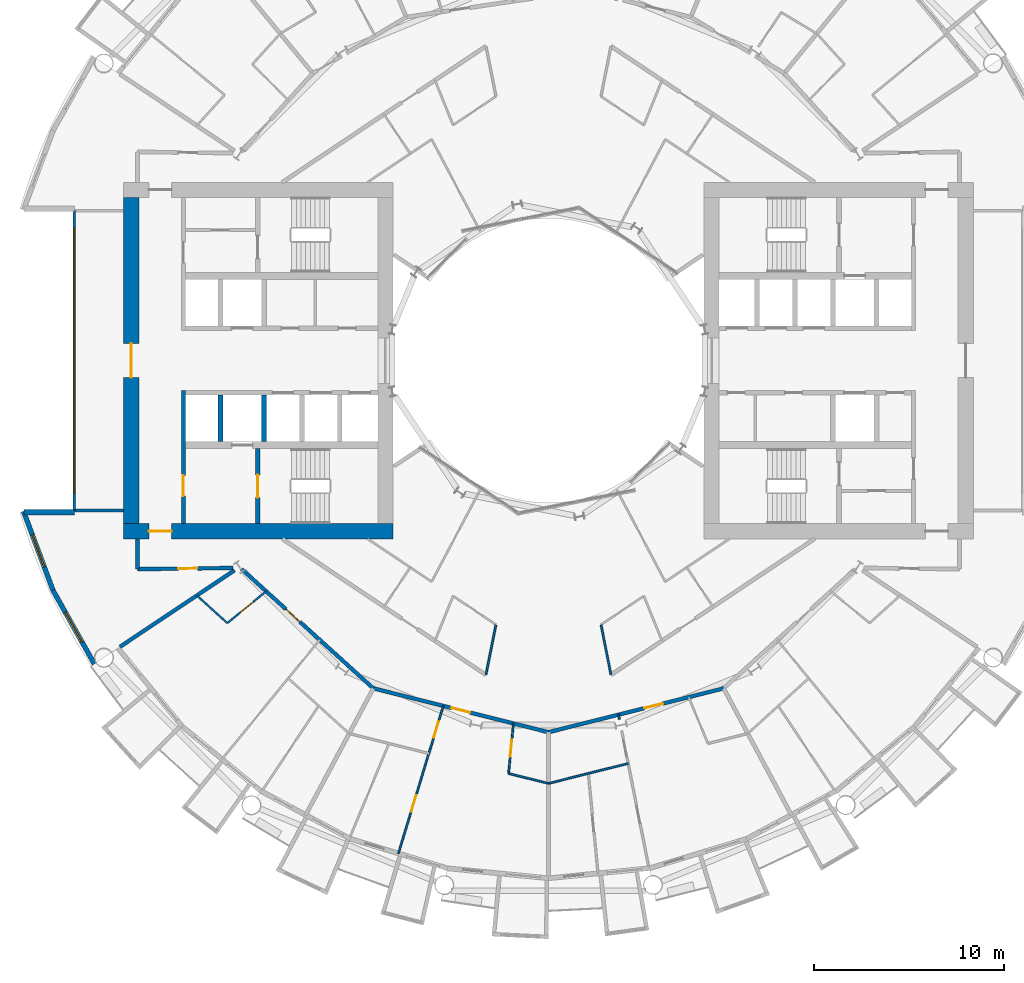
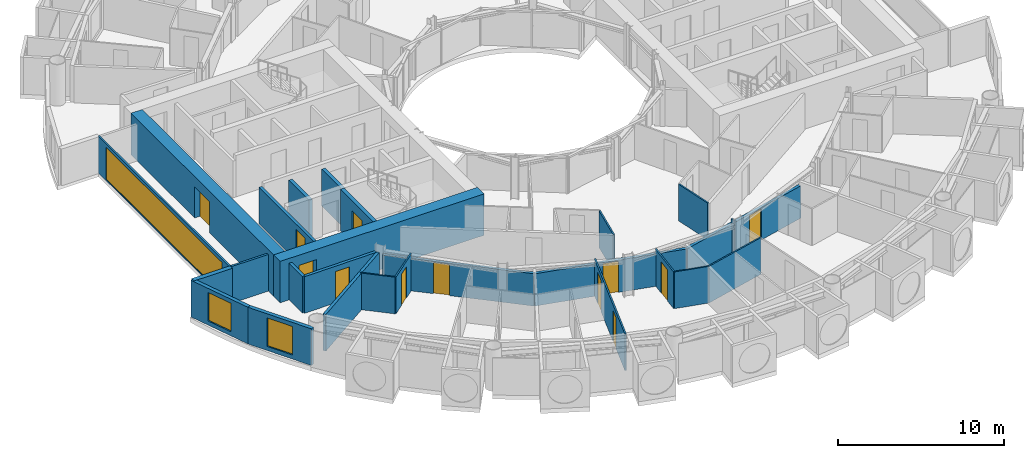
# One storey, part 14 of 26: 26 walls, 12 doors, 3 windows, 15 openings.
"""IFC4 building model written with IfcOpenShell, lengths in metres."""

import ifcopenshell
import ifcopenshell.guid

model = None  # the IFC model being written
_history = None  # IfcOwnerHistory: only IFC2X3 demands one
_inside = {}  # id of a spatial element -> (the spatial element, [elements in it])
_under = {}  # id of a project, library or spatial element -> (it, [spatial elements below it])
_declared = {}  # id of a project -> (the project, [libraries it declares])
_typed = {}  # id of a type object -> (the type object, [elements of that type])
_made_of = {}  # id of a material, layer set ... -> (it, [elements and type objects made of it])


def new_model(schema):
    """Start an empty IFC model of exactly this schema.

    Asked for "IFC4X3", IfcOpenShell would pick the latest addendum, in which some entities
    have other attributes; the version numbers below select the first issue.
    IFC2X3 requires an IfcOwnerHistory on every rooted entity: one is made here for all.
    """
    global model, _history
    if schema == "IFC4X3":
        model = ifcopenshell.file(schema_version=(4, 3, 0, 0))
    else:
        model = ifcopenshell.file(schema=schema)
    _inside.clear()
    _under.clear()
    _declared.clear()
    _typed.clear()
    _made_of.clear()
    _history = None
    if model.schema == "IFC2X3":
        org = make("IfcOrganization", Name="unknown")
        user = make(
            "IfcPersonAndOrganization",
            ThePerson=make("IfcPerson", FamilyName="unknown"),
            TheOrganization=org,
        )
        app = make(
            "IfcApplication",
            ApplicationDeveloper=org,
            Version="unknown",
            ApplicationFullName="unknown",
            ApplicationIdentifier="unknown",
        )
        _history = make(
            "IfcOwnerHistory",
            OwningUser=user,
            OwningApplication=app,
            ChangeAction="ADDED",
            CreationDate=0,
        )
    return model


def make(cls, **values):
    """One entity of the class cls with the attributes given. An attribute that is None is left unset."""
    return model.create_entity(
        cls, **{name: value for name, value in values.items() if value is not None}
    )


def rooted(cls, **values):
    """An entity with a GlobalId (a new one), such as an element, a storey or a relation."""
    return make(cls, GlobalId=ifcopenshell.guid.new(), OwnerHistory=_history, **values)


def si_unit(unit_type, name, prefix=None):
    """IfcSIUnit, for example si_unit("LENGTHUNIT", "METRE", prefix="MILLI")."""
    return make("IfcSIUnit", UnitType=unit_type, Prefix=prefix, Name=name)


def assignment(units):
    """IfcUnitAssignment: the units of a project."""
    return None if units is None else make("IfcUnitAssignment", Units=units)


def point(xyz):
    """IfcCartesianPoint."""
    return None if xyz is None else make("IfcCartesianPoint", Coordinates=xyz)


def direction(xyz):
    """IfcDirection."""
    return None if xyz is None else make("IfcDirection", DirectionRatios=xyz)


def frame(location, z_axis=None, x_axis=None):
    """IfcAxis2Placement3D, a coordinate frame: its origin and axes. An axis left out is left unset."""
    return make(
        "IfcAxis2Placement3D",
        Location=point(location),
        Axis=direction(z_axis),
        RefDirection=direction(x_axis),
    )


def frame_2d(location, x_axis=None):
    """IfcAxis2Placement2D, a coordinate frame in the plane: its origin and x axis."""
    return make(
        "IfcAxis2Placement2D", Location=point(location), RefDirection=direction(x_axis)
    )


def origin():
    """The frame at (0, 0, 0) with its axes left unset."""
    return frame((0.0, 0.0, 0.0))


def place(relative_to, where):
    """IfcLocalPlacement: puts the frame where relative to a parent placement (None: the world)."""
    return make(
        "IfcLocalPlacement", PlacementRelTo=relative_to, RelativePlacement=where
    )


def context(
    kind, dimensions, precision=None, world=None, true_north=None, identifier=None
):
    """IfcGeometricRepresentationContext, for example the 3D "Model" context."""
    return make(
        "IfcGeometricRepresentationContext",
        ContextIdentifier=identifier,
        ContextType=kind,
        CoordinateSpaceDimension=dimensions,
        Precision=precision,
        WorldCoordinateSystem=world,
        TrueNorth=true_north,
    )


def subcontext(parent, identifier, kind, view, scale=None):
    """IfcGeometricRepresentationSubContext, for example "Body" below "Model"."""
    return make(
        "IfcGeometricRepresentationSubContext",
        ContextIdentifier=identifier,
        ContextType=kind,
        ParentContext=parent,
        TargetScale=scale,
        TargetView=view,
    )


def project(units=None, contexts=None):
    """IfcProject with its units and contexts."""
    return rooted(
        "IfcProject",
        Name="project",
        RepresentationContexts=contexts,
        UnitsInContext=assignment(units),
    )


def spatial(cls, under=None, at=None, **own):
    """A site, building, storey or space (cls), placed at a placement, below another one or the project."""
    s = rooted(cls, ObjectPlacement=at, **own)
    if under is not None:
        _under.setdefault(under.id(), (under, []))[1].append(s)
    return s


def profile(cls, at=None, kind="AREA", **sizes):
    """A parametric profile (cls). Its sizes go by their IFC names, for example OverallWidth=200.0."""
    return make(cls, ProfileType=kind, Position=at, **sizes)


def rectangle(**sizes):
    """IfcRectangleProfileDef."""
    return profile("IfcRectangleProfileDef", **sizes)


def extrude(swept, where, along, depth):
    """IfcExtrudedAreaSolid: the profile swept, set in the frame where, extruded along a direction by depth."""
    return make(
        "IfcExtrudedAreaSolid",
        SweptArea=swept,
        Position=where,
        ExtrudedDirection=direction(along),
        Depth=depth,
    )


def shape(context_of_items, identifier, shape_type, items):
    """IfcShapeRepresentation: the items that make up one representation, for example the "Body"."""
    return make(
        "IfcShapeRepresentation",
        ContextOfItems=context_of_items,
        RepresentationIdentifier=identifier,
        RepresentationType=shape_type,
        Items=items,
    )


def material(Name=None, Category=None):
    """IfcMaterial."""
    return make("IfcMaterial", Name=Name, Category=Category)


def layer(
    of_material, thickness, ventilated=None, Name=None, Category=None, Priority=None
):
    """IfcMaterialLayer: one layer of a wall or slab, of a material (None: an air gap)."""
    return make(
        "IfcMaterialLayer",
        Material=of_material,
        LayerThickness=thickness,
        IsVentilated=ventilated,
        Name=Name,
        Category=Category,
        Priority=Priority,
    )


def layer_set(layers, Name=None):
    """IfcMaterialLayerSet."""
    return make("IfcMaterialLayerSet", MaterialLayers=layers, LayerSetName=Name)


def made_of(thing, what):
    """Note that an element or type object is made of a material, layer set ...; save() writes the relation."""
    if what is not None:
        _made_of.setdefault(what.id(), (what, []))[1].append(thing)
    return thing


def type_object(cls, material=None, **own):
    """A type object (cls), such as IfcWallType, which elements share."""
    return made_of(rooted(cls, **own), material)


def element(
    cls,
    number,
    at=None,
    inside=None,
    cuts=None,
    type_object=None,
    material=None,
    context=None,
    identifier="Body",
    shape_type=None,
    held_by="IfcProductDefinitionShape",
    body=None,
    shapes=None,
    **own,
):
    """One element of the class cls, such as IfcWall. Its Tag is "e" and its number.

    at: its placement. inside: the storey or other place that contains it. cuts: it is an
    opening in that element (IfcRelVoidsElement). A single representation is given by context,
    identifier, shape_type and body (its items); several are given by shapes. held_by: the class
    of the entity that holds the representations. save() writes the other relations.
    """
    e = rooted(cls, Tag="e%d" % number, ObjectPlacement=at, **own)
    if body is not None:
        shapes = [shape(context, identifier, shape_type, body)]
    if shapes is not None:
        e.Representation = make(held_by, Representations=shapes)
    if inside is not None:
        _inside.setdefault(inside.id(), (inside, []))[1].append(e)
    if cuts is not None:
        rooted(
            "IfcRelVoidsElement", RelatingBuildingElement=cuts, RelatedOpeningElement=e
        )
    if type_object is not None:
        _typed.setdefault(type_object.id(), (type_object, []))[1].append(e)
    return made_of(e, material)


def fill(opening, filler):
    """IfcRelFillsElement: the door or window that sits in an opening."""
    return rooted(
        "IfcRelFillsElement",
        RelatingOpeningElement=opening,
        RelatedBuildingElement=filler,
    )


def aggregate(whole, parts):
    """IfcRelAggregates: a whole, such as a stair, and the parts it consists of."""
    return rooted("IfcRelAggregates", RelatingObject=whole, RelatedObjects=parts)


def save(model, path):
    """Write the relations noted so far, then the file.

    IfcRelAggregates (storeys below a building ...), IfcRelContainedInSpatialStructure (elements
    in a storey), IfcRelDefinesByType, IfcRelAssociatesMaterial and IfcRelDeclares: one each for
    every whole, place, type object, material and project.
    """
    for whole, parts in _under.values():
        aggregate(whole, parts)
    for where, things in _inside.values():
        rooted(
            "IfcRelContainedInSpatialStructure",
            RelatedElements=things,
            RelatingStructure=where,
        )
    for kind, things in _typed.values():
        rooted("IfcRelDefinesByType", RelatedObjects=things, RelatingType=kind)
    for what, things in _made_of.values():
        rooted("IfcRelAssociatesMaterial", RelatedObjects=things, RelatingMaterial=what)
    for by, libraries in _declared.values():
        rooted("IfcRelDeclares", RelatingContext=by, RelatedDefinitions=libraries)
    model.write(path)


model = new_model("IFC4")

# Units and contexts
model_context = context("Model", 3, precision=1e-05, world=origin(), true_north=direction((0.0, 1.0)))
body_context = subcontext(model_context, "Body", "Model", "MODEL_VIEW")
ifc_project = project(units=[si_unit("LENGTHUNIT", "METRE"), si_unit("AREAUNIT", "SQUARE_METRE"), si_unit("VOLUMEUNIT", "CUBIC_METRE"), si_unit("PLANEANGLEUNIT", "RADIAN"), si_unit("MASSUNIT", "GRAM", prefix="KILO")], contexts=[model_context])

# Site, building, storey
site_placement = place(None, origin())
site = spatial("IfcSite", under=ifc_project, at=site_placement, CompositionType="ELEMENT")
building_placement = place(site_placement, origin())
building = spatial("IfcBuilding", under=site, at=building_placement, Name="Maasbend Ring Residences", CompositionType="ELEMENT")
storey_placement = place(building_placement, frame((0.0, 0.0, 31.949951171875)))
storey = spatial("IfcBuildingStorey", under=building, at=storey_placement, Name="L08", CompositionType="ELEMENT", Elevation=31.949951171875)

# Wall, opening, door
ifc_material_1 = material(Name="Concrete C70/85", Category="concrete")
ifc_layer_1 = layer(ifc_material_1, 0.25)
ifc_layer_set_1 = layer_set([ifc_layer_1], Name="Concrete C70/85")
wall_type_1 = type_object("IfcWallType", Name="CORE WALL 250 C70/85", PredefinedType="SHEAR", material=ifc_layer_set_1)
wall_1_placement = place(storey_placement, frame((-15.324951171875, -4.64990234375, 0.0), z_axis=(0.0, 0.0, 1.0), x_axis=(0.0, -1.0, 0.0)))
wall_1 = element("IfcWall", 1, at=wall_1_placement, inside=storey, type_object=wall_type_1, Name="L08 core W wall STEN", PredefinedType="SHEAR", context=body_context, shape_type="SweptSolid", body=[
    extrude(rectangle(XDim=3.9501953125, YDim=0.25, at=frame_2d((1.97509765625, 0.0))), origin(), (0.0, 0.0, 1.0), 3.050048828125),
])
opening_1_placement = place(wall_1_placement, frame((1.375, 0.0, 0.0)))
opening_1 = element("IfcOpeningElement", 2, at=opening_1_placement, cuts=wall_1, Name="Opening D-W0809", PredefinedType="OPENING", context=body_context, shape_type="SweptSolid", body=[
    extrude(rectangle(XDim=1.199951171875, YDim=2.300048828125, at=frame_2d((0.60009765625, 1.14990234375))), frame((0.0, 0.135009765625, 0.0), z_axis=(0.0, -1.0, 0.0), x_axis=(1.0, 0.0, 0.0)), (0.0, 0.0, 1.0), 0.27001953125),
])
ifc_material_2 = material(Name="Steel, powder coated", Category="steel")
door_type_1 = type_object("IfcDoorType", Name="STAIR DOOR 1200 X 2300 FD60", OperationType="NOTDEFINED", PredefinedType="DOOR", material=ifc_material_2)
door_1_placement = place(opening_1_placement, origin())
door_1 = element("IfcDoor", 3, at=door_1_placement, inside=storey, type_object=door_type_1, Name="Stair door ST-W L08", OperationType="SINGLE_SWING_LEFT", OverallHeight=2.300048828125, OverallWidth=1.199951171875, PredefinedType="DOOR", context=body_context, shape_type="SweptSolid", body=[
    extrude(rectangle(XDim=1.199951171875, YDim=2.300048828125, at=frame_2d((0.60009765625, 1.14990234375))), frame((0.0, 0.02490234375, 0.0), z_axis=(0.0, -1.0, 0.0), x_axis=(1.0, 0.0, 0.0)), (0.0, 0.0, 1.0), 0.050048828125),
])
fill(opening_1, door_1)

ifc_material_3 = material(Name="Concrete C70/85", Category="concrete")
ifc_layer_2 = layer(ifc_material_3, 0.800048828125)
ifc_layer_set_2 = layer_set([ifc_layer_2], Name="Concrete C70/85")
wall_type_2 = type_object("IfcWallType", Name="CORE WALL 800 C70/85", PredefinedType="SHEAR", material=ifc_layer_set_2)
wall_2_placement = place(storey_placement, frame((-22.39990234375, -9.0, 0.0), z_axis=(0.0, 0.0, 1.0), x_axis=(1.0, 0.0, 0.0)))
wall_2 = element("IfcWall", 4, at=wall_2_placement, inside=storey, type_object=wall_type_2, Name="L08 core W wall PN", PredefinedType="SHEAR", context=body_context, shape_type="SweptSolid", body=[
    extrude(rectangle(XDim=14.199951171875, YDim=0.800048828125, at=frame_2d((7.10009765625, 0.0))), origin(), (0.0, 0.0, 1.0), 3.050048828125),
])
opening_2_placement = place(wall_2_placement, frame((1.324951171875, 0.0, 0.0)))
opening_2 = element("IfcOpeningElement", 5, at=opening_2_placement, cuts=wall_2, Name="Opening D-W0813", PredefinedType="OPENING", context=body_context, shape_type="SweptSolid", body=[
    extrude(rectangle(XDim=1.199951171875, YDim=2.300048828125, at=frame_2d((0.60009765625, 1.14990234375))), frame((0.0, 0.41015625, 0.0), z_axis=(0.0, -1.0, 0.0), x_axis=(1.0, 0.0, 0.0)), (0.0, 0.0, 1.0), 0.820068359375),
])
ifc_material_4 = material(Name="Steel, powder coated", Category="steel")
door_type_2 = type_object("IfcDoorType", Name="CORRIDOR DOOR 1200 X 2300 FD30S", OperationType="NOTDEFINED", PredefinedType="DOOR", material=ifc_material_4)
door_2_placement = place(opening_2_placement, origin())
door_2 = element("IfcDoor", 6, at=door_2_placement, inside=storey, type_object=door_type_2, Name="Corridor door L08", OperationType="SINGLE_SWING_RIGHT", OverallHeight=2.300048828125, OverallWidth=1.199951171875, PredefinedType="DOOR", context=body_context, shape_type="SweptSolid", body=[
    extrude(rectangle(XDim=1.199951171875, YDim=2.300048828125, at=frame_2d((0.60009765625, 1.14990234375))), frame((0.0, 0.02490234375, 0.0), z_axis=(0.0, -1.0, 0.0), x_axis=(1.0, 0.0, 0.0)), (0.0, 0.0, 1.0), 0.050048828125),
])
fill(opening_2, door_2)

wall_3_placement = place(storey_placement, frame((-22.0, -8.60009765625, 0.0), z_axis=(0.0, 0.0, 1.0), x_axis=(0.0, 1.0, 0.0)))
wall_3 = element("IfcWall", 7, at=wall_3_placement, inside=storey, type_object=wall_type_2, Name="L08 core W wall POUT", PredefinedType="SHEAR", context=body_context, shape_type="SweptSolid", body=[
    extrude(rectangle(XDim=17.2001953125, YDim=0.800048828125, at=frame_2d((8.60009765625, 0.0))), origin(), (0.0, 0.0, 1.0), 3.050048828125),
])
opening_3_placement = place(wall_3_placement, frame((7.699951171875, 0.0, 0.0)))
opening_3 = element("IfcOpeningElement", 8, at=opening_3_placement, cuts=wall_3, Name="Opening D-W0815", PredefinedType="OPENING", context=body_context, shape_type="SweptSolid", body=[
    extrude(rectangle(XDim=1.800048828125, YDim=2.300048828125, at=frame_2d((0.89990234375, 1.14990234375))), frame((0.0, 0.41015625, 0.0), z_axis=(0.0, -1.0, 0.0), x_axis=(1.0, 0.0, 0.0)), (0.0, 0.0, 1.0), 0.820068359375),
])
ifc_material_5 = material(Name="Aluminium frame, clear glass", Category="aluminium")
door_type_3 = type_object("IfcDoorType", Name="ENTRANCE DOOR 1800 X 2300 FD60", OperationType="NOTDEFINED", PredefinedType="DOOR", material=ifc_material_5)
door_3_placement = place(opening_3_placement, origin())
door_3 = element("IfcDoor", 9, at=door_3_placement, inside=storey, type_object=door_type_3, Name="Lobby glazed door L08", OperationType="SINGLE_SWING_LEFT", OverallHeight=2.300048828125, OverallWidth=1.800048828125, PredefinedType="DOOR", context=body_context, shape_type="SweptSolid", body=[
    extrude(rectangle(XDim=1.800048828125, YDim=2.300048828125, at=frame_2d((0.89990234375, 1.14990234375))), frame((0.0, 0.02490234375, 0.0), z_axis=(0.0, -1.0, 0.0), x_axis=(1.0, 0.0, 0.0)), (0.0, 0.0, 1.0), 0.050048828125),
])
fill(opening_3, door_3)

ifc_material_6 = material(Name="Concrete C30/37", Category="concrete")
ifc_layer_3 = layer(ifc_material_6, 0.199951171875)
ifc_layer_set_3 = layer_set([ifc_layer_3], Name="Concrete C30/37")
wall_type_3 = type_object("IfcWallType", Name="CORRIDOR WALL 200 CONCRETE", PredefinedType="PARTITIONING", material=ifc_layer_set_3)
wall_4_placement = place(storey_placement, frame((-16.179931640625, -10.993896484375, 0.0), z_axis=(0.0, 0.0, 1.0), x_axis=(0.74089212117, -0.671624050186, 0.0)))
wall_4 = element("IfcWall", 10, at=wall_4_placement, inside=storey, type_object=wall_type_3, Name="U-L08-w011", PredefinedType="PARTITIONING", context=body_context, shape_type="SweptSolid", body=[
    extrude(rectangle(XDim=9.368408203125, YDim=0.199951171875, at=frame_2d((4.68408203125, 0.0))), origin(), (0.0, 0.0, 1.0), 2.380126953125),
])
opening_4_placement = place(wall_4_placement, frame((3.153076171875, 0.0, 0.0)))
opening_4 = element("IfcOpeningElement", 11, at=opening_4_placement, cuts=wall_4, Name="Opening D-0829", PredefinedType="OPENING", context=body_context, shape_type="SweptSolid", body=[
    extrude(rectangle(XDim=1.0, YDim=2.300048828125, at=frame_2d((0.5, 1.14990234375))), frame((0.0, 0.10986328125, 0.0), z_axis=(0.0, -1.0, 0.0), x_axis=(1.0, 0.0, 0.0)), (0.0, 0.0, 1.0), 0.219970703125),
])
ifc_material_7 = material(Name="Timber, fire-rated, painted", Category="wood")
door_type_4 = type_object("IfcDoorType", Name="FLAT ENTRANCE DOOR 1000 X 2300 FIRE-RATED", OperationType="NOTDEFINED", PredefinedType="DOOR", material=ifc_material_7)
door_4_placement = place(opening_4_placement, origin())
door_4 = element("IfcDoor", 12, at=door_4_placement, inside=storey, type_object=door_type_4, Name="D-0829", OperationType="SINGLE_SWING_LEFT", OverallHeight=2.300048828125, OverallWidth=1.0, PredefinedType="DOOR", context=body_context, shape_type="SweptSolid", body=[
    extrude(rectangle(XDim=1.0, YDim=2.300048828125, at=frame_2d((0.5, 1.14990234375))), frame((0.0, 0.02490234375, 0.0), z_axis=(0.0, -1.0, 0.0), x_axis=(1.0, 0.0, 0.0)), (0.0, 0.0, 1.0), 0.050048828125),
])
fill(opening_4, door_4)

wall_5_placement = place(storey_placement, frame((-9.241943359375, -17.283935546875, 0.0), z_axis=(0.0, 0.0, 1.0), x_axis=(0.970002158938, -0.243096301198, 0.0)))
wall_5 = element("IfcWall", 13, at=wall_5_placement, inside=storey, type_object=wall_type_3, Name="U-L08-w012", PredefinedType="PARTITIONING", context=body_context, shape_type="SweptSolid", body=[
    extrude(rectangle(XDim=9.52783203125, YDim=0.199951171875, at=frame_2d((4.763916015625, 0.0))), origin(), (0.0, 0.0, 1.0), 2.380126953125),
])
opening_5_placement = place(wall_5_placement, frame((4.261962890625, 0.0, 0.0)))
opening_5 = element("IfcOpeningElement", 14, at=opening_5_placement, cuts=wall_5, Name="Opening D-0834", PredefinedType="OPENING", context=body_context, shape_type="SweptSolid", body=[
    extrude(rectangle(XDim=1.0, YDim=2.300048828125, at=frame_2d((0.5, 1.14990234375))), frame((0.0, 0.10986328125, 0.0), z_axis=(0.0, -1.0, 0.0), x_axis=(1.0, 0.0, 0.0)), (0.0, 0.0, 1.0), 0.219970703125),
])
door_5_placement = place(opening_5_placement, origin())
door_5 = element("IfcDoor", 15, at=door_5_placement, inside=storey, type_object=door_type_4, Name="D-0834", OperationType="SINGLE_SWING_LEFT", OverallHeight=2.300048828125, OverallWidth=1.0, PredefinedType="DOOR", context=body_context, shape_type="SweptSolid", body=[
    extrude(rectangle(XDim=1.0, YDim=2.300048828125, at=frame_2d((0.5, 1.14990234375))), frame((0.0, 0.02490234375, 0.0), z_axis=(0.0, -1.0, 0.0), x_axis=(1.0, 0.0, 0.0)), (0.0, 0.0, 1.0), 0.050048828125),
])
fill(opening_5, door_5)

wall_6_placement = place(storey_placement, frame((-0.0009765625, -19.60107421875, 0.0), z_axis=(0.0, 0.0, 1.0), x_axis=(0.970014215304, 0.243048188859, 0.0)))
wall_6 = element("IfcWall", 16, at=wall_6_placement, inside=storey, type_object=wall_type_3, Name="U-L08-w013", PredefinedType="PARTITIONING", context=body_context, shape_type="SweptSolid", body=[
    extrude(rectangle(XDim=9.525634765625, YDim=0.199951171875, at=frame_2d((4.7626953125, 0.0))), origin(), (0.0, 0.0, 1.0), 2.380126953125),
])
opening_6_placement = place(wall_6_placement, frame((5.220947265625, 0.0, 0.0)))
opening_6 = element("IfcOpeningElement", 17, at=opening_6_placement, cuts=wall_6, Name="Opening D-0839", PredefinedType="OPENING", context=body_context, shape_type="SweptSolid", body=[
    extrude(rectangle(XDim=1.0, YDim=2.300048828125, at=frame_2d((0.5, 1.14990234375))), frame((0.0, 0.10986328125, 0.0), z_axis=(0.0, -1.0, 0.0), x_axis=(1.0, 0.0, 0.0)), (0.0, 0.0, 1.0), 0.219970703125),
])
door_6_placement = place(opening_6_placement, origin())
door_6 = element("IfcDoor", 18, at=door_6_placement, inside=storey, type_object=door_type_4, Name="D-0839", OperationType="SINGLE_SWING_RIGHT", OverallHeight=2.300048828125, OverallWidth=1.0, PredefinedType="DOOR", context=body_context, shape_type="SweptSolid", body=[
    extrude(rectangle(XDim=1.0, YDim=2.300048828125, at=frame_2d((0.5, 1.14990234375))), frame((0.0, 0.02490234375, 0.0), z_axis=(0.0, -1.0, 0.0), x_axis=(1.0, 0.0, 0.0)), (0.0, 0.0, 1.0), 0.050048828125),
])
fill(opening_6, door_6)

wall_7_placement = place(storey_placement, frame((-21.675048828125, -11.0, 0.0), z_axis=(0.0, 0.0, 1.0), x_axis=(0.999926652916, 0.012111514691, 0.0)))
wall_7 = element("IfcWall", 19, at=wall_7_placement, inside=storey, type_object=wall_type_3, Name="U-L08-w021", PredefinedType="PARTITIONING", context=body_context, shape_type="SweptSolid", body=[
    extrude(rectangle(XDim=5.03955078125, YDim=0.199951171875, at=frame_2d((2.519775390625, 0.0))), origin(), (0.0, 0.0, 1.0), 2.699951171875),
])
opening_7_placement = place(wall_7_placement, frame((2.154052734375, 0.0, 0.0)))
opening_7 = element("IfcOpeningElement", 20, at=opening_7_placement, cuts=wall_7, Name="Opening D-0857", PredefinedType="OPENING", context=body_context, shape_type="SweptSolid", body=[
    extrude(rectangle(XDim=1.0, YDim=2.300048828125, at=frame_2d((0.5, 1.14990234375))), frame((0.0, 0.10986328125, 0.0), z_axis=(0.0, -1.0, 0.0), x_axis=(1.0, 0.0, 0.0)), (0.0, 0.0, 1.0), 0.219970703125),
])
ifc_material_8 = material(Name="Timber, painted", Category="wood")
door_type_5 = type_object("IfcDoorType", Name="ROOM DOOR 1000 X 2300", OperationType="NOTDEFINED", PredefinedType="DOOR", material=ifc_material_8)
door_7_placement = place(opening_7_placement, origin())
door_7 = element("IfcDoor", 21, at=door_7_placement, inside=storey, type_object=door_type_5, Name="D-0857", OperationType="SINGLE_SWING_RIGHT", OverallHeight=2.300048828125, OverallWidth=1.0, PredefinedType="DOOR", context=body_context, shape_type="SweptSolid", body=[
    extrude(rectangle(XDim=1.0, YDim=2.300048828125, at=frame_2d((0.5, 1.14990234375))), frame((0.0, 0.02490234375, 0.0), z_axis=(0.0, -1.0, 0.0), x_axis=(1.0, 0.0, 0.0)), (0.0, 0.0, 1.0), 0.050048828125),
])
fill(opening_7, door_7)

# Wall
wall_8_placement = place(storey_placement, frame((-21.675048828125, -11.0, 0.0), z_axis=(0.0, 0.0, 1.0), x_axis=(0.0, 1.0, 0.0)))
element("IfcWall", 22, at=wall_8_placement, inside=storey, type_object=wall_type_3, Name="U-L08-w097", PredefinedType="PARTITIONING", context=body_context, shape_type="SweptSolid", body=[
    extrude(rectangle(XDim=1.60009765625, YDim=0.199951171875, at=frame_2d((0.800048828125, 0.0))), origin(), (0.0, 0.0, 1.0), 2.699951171875),
])

# Wall, opening, window
ifc_material_9 = material(Name="Aluminium clad insulated panel", Category="aluminium")
ifc_layer_4 = layer(ifc_material_9, 0.25)
ifc_layer_set_4 = layer_set([ifc_layer_4], Name="EW-HORN")
wall_type_4 = type_object("IfcWallType", Name="EW-HORN", PredefinedType="SOLIDWALL", material=ifc_layer_set_4)
wall_9_placement = place(storey_placement, frame((-27.681884765625, -7.945068359375, 0.0), z_axis=(0.0, 0.0, 1.0), x_axis=(0.349247811493, -0.937030397675, 0.0)))
wall_9 = element("IfcWall", 23, at=wall_9_placement, inside=storey, type_object=wall_type_4, Name="Horn wall 3.1", PredefinedType="SOLIDWALL", context=body_context, shape_type="SweptSolid", body=[
    extrude(rectangle(XDim=4.4521484375, YDim=0.25, at=frame_2d((2.22607421875, 0.0))), origin(), (0.0, 0.0, 1.0), 2.699951171875),
])
opening_8_placement = place(wall_9_placement, frame((1.32666015625, 0.0, 0.300048828125)))
opening_8 = element("IfcOpeningElement", 24, at=opening_8_placement, cuts=wall_9, Name="Opening W-BX", PredefinedType="OPENING", context=body_context, shape_type="SweptSolid", body=[
    extrude(rectangle(XDim=1.800048828125, YDim=2.10009765625, at=frame_2d((0.89990234375, 1.050048828125))), frame((0.0, 0.135009765625, 0.0), z_axis=(0.0, -1.0, 0.0), x_axis=(1.0, 0.0, 0.0)), (0.0, 0.0, 1.0), 0.27001953125),
])
ifc_material_10 = material(Name="Aluminium and clear glass", Category="aluminium")
window_type_1 = type_object("IfcWindowType", Name="W-BX", PartitioningType="DOUBLE_PANEL_VERTICAL", PredefinedType="WINDOW", material=ifc_material_10)
window_1_placement = place(opening_8_placement, origin())
window_1 = element("IfcWindow", 25, at=window_1_placement, inside=storey, type_object=window_type_1, Name="Horn window 3.1", OverallHeight=2.10009765625, OverallWidth=1.800048828125, PartitioningType="SINGLE_PANEL", PredefinedType="WINDOW", context=body_context, shape_type="SweptSolid", body=[
    extrude(rectangle(XDim=1.800048828125, YDim=2.10009765625, at=frame_2d((0.89990234375, 1.050048828125))), frame((0.0, 0.030029296875, 0.0), z_axis=(0.0, -1.0, 0.0), x_axis=(1.0, 0.0, 0.0)), (0.0, 0.0, 1.0), 0.06005859375),
])
fill(opening_8, window_1)

wall_10_placement = place(storey_placement, frame((-26.126953125, -12.116943359375, 0.0), z_axis=(0.0, 0.0, 1.0), x_axis=(0.489696356642, -0.871893042919, 0.0)))
wall_10 = element("IfcWall", 26, at=wall_10_placement, inside=storey, type_object=wall_type_4, Name="Horn wall 3.2", PredefinedType="SOLIDWALL", context=body_context, shape_type="SweptSolid", body=[
    extrude(rectangle(XDim=4.45361328125, YDim=0.25, at=frame_2d((2.226806640625, 0.0))), origin(), (0.0, 0.0, 1.0), 2.699951171875),
])
opening_9_placement = place(wall_10_placement, frame((1.32666015625, 0.0, 0.300048828125)))
opening_9 = element("IfcOpeningElement", 27, at=opening_9_placement, cuts=wall_10, Name="Opening W-BX", PredefinedType="OPENING", context=body_context, shape_type="SweptSolid", body=[
    extrude(rectangle(XDim=1.800048828125, YDim=2.10009765625, at=frame_2d((0.89990234375, 1.050048828125))), frame((0.0, 0.135009765625, 0.0), z_axis=(0.0, -1.0, 0.0), x_axis=(1.0, 0.0, 0.0)), (0.0, 0.0, 1.0), 0.27001953125),
])
window_2_placement = place(opening_9_placement, origin())
window_2 = element("IfcWindow", 28, at=window_2_placement, inside=storey, type_object=window_type_1, Name="Horn window 3.2", OverallHeight=2.10009765625, OverallWidth=1.800048828125, PartitioningType="SINGLE_PANEL", PredefinedType="WINDOW", context=body_context, shape_type="SweptSolid", body=[
    extrude(rectangle(XDim=1.800048828125, YDim=2.10009765625, at=frame_2d((0.89990234375, 1.050048828125))), frame((0.0, 0.030029296875, 0.0), z_axis=(0.0, -1.0, 0.0), x_axis=(1.0, 0.0, 0.0)), (0.0, 0.0, 1.0), 0.06005859375),
])
fill(opening_9, window_2)

# Wall
ifc_material_11 = material(Name="Aluminium clad insulated panel", Category="aluminium")
ifc_layer_5 = layer(ifc_material_11, 0.300048828125)
ifc_layer_set_5 = layer_set([ifc_layer_5], Name="EW-RET")
wall_type_5 = type_object("IfcWallType", Name="EW-RET", PredefinedType="SOLIDWALL", material=ifc_layer_set_5)
wall_11_placement = place(storey_placement, frame((-25.0, -8.0, 0.0), z_axis=(0.0, 0.0, 1.0), x_axis=(-1.0, 0.0, 0.0)))
element("IfcWall", 29, at=wall_11_placement, inside=storey, type_object=wall_type_5, Name="Notch return wall west south", PredefinedType="SOLIDWALL", context=body_context, shape_type="SweptSolid", body=[
    extrude(rectangle(XDim=2.6669921875, YDim=0.300048828125, at=frame_2d((1.33349609375, 0.0))), origin(), (0.0, 0.0, 1.0), 2.699951171875),
])

# Wall, opening, window
ifc_material_12 = material(Name="Aluminium frame and clear glass", Category="aluminium")
ifc_layer_6 = layer(ifc_material_12, 0.1201171875)
ifc_layer_set_6 = layer_set([ifc_layer_6], Name="GLAZED SCREEN WALL 120 EI 60")
wall_type_6 = type_object("IfcWallType", Name="GLAZED SCREEN WALL 120 EI 60", PredefinedType="PARTITIONING", material=ifc_layer_set_6)
wall_12_placement = place(storey_placement, frame((-25.0, 7.949951171875, 0.0), z_axis=(0.0, 0.0, 1.0), x_axis=(0.0, -1.0, 0.0)))
wall_12 = element("IfcWall", 30, at=wall_12_placement, inside=storey, type_object=wall_type_6, Name="L08 core W wall FACE", PredefinedType="PARTITIONING", context=body_context, shape_type="SweptSolid", body=[
    extrude(rectangle(XDim=15.89990234375, YDim=0.1201171875, at=frame_2d((7.949951171875, 0.0))), origin(), (0.0, 0.0, 1.0), 2.699951171875),
])
opening_10_placement = place(wall_12_placement, frame((0.949951171875, 0.0, 0.10009765625)))
opening_10 = element("IfcOpeningElement", 31, at=opening_10_placement, cuts=wall_12, Name="Opening W-W0802", PredefinedType="OPENING", context=body_context, shape_type="SweptSolid", body=[
    extrude(rectangle(XDim=14.0, YDim=2.35009765625, at=frame_2d((7.0, 1.175048828125))), frame((0.0, 0.070068359375, 0.0), z_axis=(0.0, -1.0, 0.0), x_axis=(1.0, 0.0, 0.0)), (0.0, 0.0, 1.0), 0.14013671875),
])
ifc_material_13 = material(Name="Aluminium frame and clear glass", Category="aluminium")
window_type_2 = type_object("IfcWindowType", Name="FIXED WINDOW 14000 X 2350", PartitioningType="SINGLE_PANEL", PredefinedType="WINDOW", material=ifc_material_13)
window_3_placement = place(opening_10_placement, origin())
window_3 = element("IfcWindow", 32, at=window_3_placement, inside=storey, type_object=window_type_2, Name="Lobby window L08", OverallHeight=2.35009765625, OverallWidth=14.0, PartitioningType="SINGLE_PANEL", PredefinedType="WINDOW", context=body_context, shape_type="SweptSolid", body=[
    extrude(rectangle(XDim=14.0, YDim=2.35009765625, at=frame_2d((7.0, 1.175048828125))), frame((0.0, 0.030029296875, 0.0), z_axis=(0.0, -1.0, 0.0), x_axis=(1.0, 0.0, 0.0)), (0.0, 0.0, 1.0), 0.06005859375),
])
fill(opening_10, window_3)

# Walls
ifc_material_14 = material(Name="Gypsum board on steel studs", Category="steel")
ifc_layer_7 = layer(ifc_material_14, 0.10009765625)
ifc_layer_set_7 = layer_set([ifc_layer_7], Name="PARTITION 100 GYPSUM")
wall_type_7 = type_object("IfcWallType", Name="PARTITION 100 GYPSUM", PredefinedType="PARTITIONING", material=ifc_layer_set_7)
wall_13_placement = place(storey_placement, frame((-18.5419921875, -12.388916015625, 0.0), z_axis=(0.0, 0.0, 1.0), x_axis=(0.740836325503, -0.671685595212, 0.0)))
element("IfcWall", 33, at=wall_13_placement, inside=storey, type_object=wall_type_7, Name="U-L08-w003", PredefinedType="PARTITIONING", context=body_context, shape_type="SweptSolid", body=[
    extrude(rectangle(XDim=2.167724609375, YDim=0.10009765625, at=frame_2d((1.083984375, 0.0))), origin(), (0.0, 0.0, 1.0), 2.699951171875),
])
wall_14_placement = place(storey_placement, frame((-2.095947265625, -21.77392578125, 0.0), z_axis=(0.0, 0.0, 1.0), x_axis=(0.969969957613, -0.24322475476, 0.0)))
element("IfcWall", 34, at=wall_14_placement, inside=storey, type_object=wall_type_7, Name="U-L08-w006", PredefinedType="PARTITIONING", context=body_context, shape_type="SweptSolid", body=[
    extrude(rectangle(XDim=2.167236328125, YDim=0.10009765625, at=frame_2d((1.08349609375, 0.0))), origin(), (0.0, 0.0, 1.0), 2.699951171875),
])
wall_15_placement = place(storey_placement, frame((-0.006103515625, -22.301025390625, 0.0), z_axis=(0.0, 0.0, 1.0), x_axis=(0.970106148391, 0.24268098577, 0.0)))
element("IfcWall", 35, at=wall_15_placement, inside=storey, type_object=wall_type_7, Name="U-L08-w007", PredefinedType="PARTITIONING", context=body_context, shape_type="SweptSolid", body=[
    extrude(rectangle(XDim=4.346923828125, YDim=0.10009765625, at=frame_2d((2.17333984375, 0.0))), origin(), (0.0, 0.0, 1.0), 2.699951171875),
])

# Wall, opening, door
wall_16_placement = place(storey_placement, frame((-16.93603515625, -13.844970703125, 0.0), z_axis=(0.0, 0.0, 1.0), x_axis=(0.774162545943, 0.632986850147, 0.0)))
wall_16 = element("IfcWall", 36, at=wall_16_placement, inside=storey, type_object=wall_type_7, Name="U-L08-w030", PredefinedType="PARTITIONING", context=body_context, shape_type="SweptSolid", body=[
    extrude(rectangle(XDim=2.6494140625, YDim=0.10009765625, at=frame_2d((1.32470703125, 0.0))), origin(), (0.0, 0.0, 1.0), 2.699951171875),
])
opening_11_placement = place(wall_16_placement, frame((0.875, 0.0, 0.0)))
opening_11 = element("IfcOpeningElement", 37, at=opening_11_placement, cuts=wall_16, Name="Opening D-0830", PredefinedType="OPENING", context=body_context, shape_type="SweptSolid", body=[
    extrude(rectangle(XDim=0.89990234375, YDim=2.300048828125, at=frame_2d((0.449951171875, 1.14990234375))), frame((0.0, 0.06005859375, 0.0), z_axis=(0.0, -1.0, 0.0), x_axis=(1.0, 0.0, 0.0)), (0.0, 0.0, 1.0), 0.1201171875),
])
ifc_material_15 = material(Name="Timber, painted", Category="wood")
door_type_6 = type_object("IfcDoorType", Name="INTERNAL DOOR 900 X 2300", OperationType="NOTDEFINED", PredefinedType="DOOR", material=ifc_material_15)
door_8_placement = place(opening_11_placement, origin())
door_8 = element("IfcDoor", 38, at=door_8_placement, inside=storey, type_object=door_type_6, Name="D-0830", OperationType="SINGLE_SWING_LEFT", OverallHeight=2.300048828125, OverallWidth=0.89990234375, PredefinedType="DOOR", context=body_context, shape_type="SweptSolid", body=[
    extrude(rectangle(XDim=0.89990234375, YDim=2.300048828125, at=frame_2d((0.449951171875, 1.14990234375))), frame((0.0, 0.02490234375, 0.0), z_axis=(0.0, -1.0, 0.0), x_axis=(1.0, 0.0, 0.0)), (0.0, 0.0, 1.0), 0.050048828125),
])
fill(opening_11, door_8)

# Wall, openings, doors
wall_17_placement = place(storey_placement, frame((-7.9140625, -25.9970703125, 0.0), z_axis=(0.0, 0.0, 1.0), x_axis=(0.291319167605, 0.956625915698, 0.0)))
wall_17 = element("IfcWall", 39, at=wall_17_placement, inside=storey, type_object=wall_type_7, Name="U-L08-w040", PredefinedType="PARTITIONING", context=body_context, shape_type="SweptSolid", body=[
    extrude(rectangle(XDim=8.13916015625, YDim=0.10009765625, at=frame_2d((4.069580078125, 0.0))), origin(), (0.0, 0.0, 1.0), 2.699951171875),
])
opening_12_placement = place(wall_17_placement, frame((6.376953125, 0.0, 0.0)))
opening_12 = element("IfcOpeningElement", 40, at=opening_12_placement, cuts=wall_17, Name="Opening D-0836", PredefinedType="OPENING", context=body_context, shape_type="SweptSolid", body=[
    extrude(rectangle(XDim=0.89990234375, YDim=2.300048828125, at=frame_2d((0.449951171875, 1.14990234375))), frame((0.0, 0.06005859375, 0.0), z_axis=(0.0, -1.0, 0.0), x_axis=(1.0, 0.0, 0.0)), (0.0, 0.0, 1.0), 0.1201171875),
])
opening_13_placement = place(wall_17_placement, frame((2.30810546875, 0.0, 0.0)))
opening_13 = element("IfcOpeningElement", 41, at=opening_13_placement, cuts=wall_17, Name="Opening D-0837", PredefinedType="OPENING", context=body_context, shape_type="SweptSolid", body=[
    extrude(rectangle(XDim=0.89990234375, YDim=2.300048828125, at=frame_2d((0.449951171875, 1.14990234375))), frame((0.0, 0.06005859375, 0.0), z_axis=(0.0, -1.0, 0.0), x_axis=(1.0, 0.0, 0.0)), (0.0, 0.0, 1.0), 0.1201171875),
])
door_9_placement = place(opening_12_placement, origin())
door_9 = element("IfcDoor", 42, at=door_9_placement, inside=storey, type_object=door_type_6, Name="D-0836", OperationType="SINGLE_SWING_RIGHT", OverallHeight=2.300048828125, OverallWidth=0.89990234375, PredefinedType="DOOR", context=body_context, shape_type="SweptSolid", body=[
    extrude(rectangle(XDim=0.89990234375, YDim=2.300048828125, at=frame_2d((0.449951171875, 1.14990234375))), frame((0.0, 0.02490234375, 0.0), z_axis=(0.0, -1.0, 0.0), x_axis=(1.0, 0.0, 0.0)), (0.0, 0.0, 1.0), 0.050048828125),
])
fill(opening_12, door_9)
door_10_placement = place(opening_13_placement, origin())
door_10 = element("IfcDoor", 43, at=door_10_placement, inside=storey, type_object=door_type_6, Name="D-0837", OperationType="SINGLE_SWING_LEFT", OverallHeight=2.300048828125, OverallWidth=0.89990234375, PredefinedType="DOOR", context=body_context, shape_type="SweptSolid", body=[
    extrude(rectangle(XDim=0.89990234375, YDim=2.300048828125, at=frame_2d((0.449951171875, 1.14990234375))), frame((0.0, 0.02490234375, 0.0), z_axis=(0.0, -1.0, 0.0), x_axis=(1.0, 0.0, 0.0)), (0.0, 0.0, 1.0), 0.050048828125),
])
fill(opening_13, door_10)

# Wall, opening, door
wall_18_placement = place(storey_placement, frame((-2.10205078125, -21.77294921875, 0.0), z_axis=(0.0, 0.0, 1.0), x_axis=(0.095970632278, 0.995384165908, 0.0)))
wall_18 = element("IfcWall", 44, at=wall_18_placement, inside=storey, type_object=wall_type_7, Name="U-L08-w047", PredefinedType="PARTITIONING", context=body_context, shape_type="SweptSolid", body=[
    extrude(rectangle(XDim=2.648193359375, YDim=0.10009765625, at=frame_2d((1.32421875, 0.0))), origin(), (0.0, 0.0, 1.0), 2.699951171875),
])
opening_14_placement = place(wall_18_placement, frame((0.8740234375, 0.0, 0.0)))
opening_14 = element("IfcOpeningElement", 45, at=opening_14_placement, cuts=wall_18, Name="Opening D-0835", PredefinedType="OPENING", context=body_context, shape_type="SweptSolid", body=[
    extrude(rectangle(XDim=0.89990234375, YDim=2.300048828125, at=frame_2d((0.449951171875, 1.14990234375))), frame((0.0, 0.06005859375, 0.0), z_axis=(0.0, -1.0, 0.0), x_axis=(1.0, 0.0, 0.0)), (0.0, 0.0, 1.0), 0.1201171875),
])
door_11_placement = place(opening_14_placement, origin())
door_11 = element("IfcDoor", 46, at=door_11_placement, inside=storey, type_object=door_type_6, Name="D-0835", OperationType="SINGLE_SWING_RIGHT", OverallHeight=2.300048828125, OverallWidth=0.89990234375, PredefinedType="DOOR", context=body_context, shape_type="SweptSolid", body=[
    extrude(rectangle(XDim=0.89990234375, YDim=2.300048828125, at=frame_2d((0.449951171875, 1.14990234375))), frame((0.0, 0.02490234375, 0.0), z_axis=(0.0, -1.0, 0.0), x_axis=(1.0, 0.0, 0.0)), (0.0, 0.0, 1.0), 0.050048828125),
])
fill(opening_14, door_11)

# Walls
wall_19_placement = place(storey_placement, frame((3.695068359375, -18.674072265625, 0.0), z_axis=(0.0, 0.0, 1.0), x_axis=(0.197040251839, -0.980395399395, 0.0)))
element("IfcWall", 47, at=wall_19_placement, inside=storey, type_object=wall_type_7, Name="U-L08-w054", PredefinedType="PARTITIONING", context=body_context, shape_type="SweptSolid", body=[
    extrude(rectangle(XDim=0.25390625, YDim=0.10009765625, at=frame_2d((0.126953125, 0.0))), origin(), (0.0, 0.0, 1.0), 2.699951171875),
])
for number, where, z_axis, x_axis, name in (
    (48, (-2.77392578125, -13.947998046875, 0.0), (0.0, 0.0, 1.0), (-0.195338620417, -0.980735858105, 0.0), "U-L08-w111"),
    (49, (3.29296875, -16.553955078125, 0.0), (0.0, 0.0, 1.0), (-0.195338620417, 0.980735858105, 0.0), "U-L08-w112"),
):
    element("IfcWall", number, at=place(storey_placement, frame(where, z_axis=z_axis, x_axis=x_axis)), inside=storey, type_object=wall_type_7, Name=name, PredefinedType="PARTITIONING", context=body_context, shape_type="SweptSolid", body=[
        extrude(rectangle(XDim=2.6572265625, YDim=0.10009765625, at=frame_2d((1.32861328125, 0.0))), origin(), (0.0, 0.0, 1.0), 2.699951171875),
    ])
ifc_material_16 = material(Name="Gypsum board on steel studs", Category="steel")
ifc_layer_8 = layer(ifc_material_16, 0.14990234375)
ifc_layer_set_8 = layer_set([ifc_layer_8], Name="PARTITION 150 EI 60")
wall_type_8 = type_object("IfcWallType", Name="PARTITION 150 EI 60", PredefinedType="PARTITIONING", material=ifc_layer_set_8)
wall_20_placement = place(storey_placement, frame((-22.39990234375, -7.89990234375, 0.0), z_axis=(0.0, 0.0, 1.0), x_axis=(-1.0, 0.0, 0.0)))
element("IfcWall", 50, at=wall_20_placement, inside=storey, type_object=wall_type_8, Name="L08 core W wall CITN", PredefinedType="PARTITIONING", context=body_context, shape_type="SweptSolid", body=[
    extrude(rectangle(XDim=2.5400390625, YDim=0.14990234375, at=frame_2d((1.27001953125, 0.0))), origin(), (0.0, 0.0, 1.0), 2.699951171875),
])
ifc_material_17 = material(Name="Concrete C30/37", Category="concrete")
ifc_layer_9 = layer(ifc_material_17, 0.199951171875)
ifc_layer_set_9 = layer_set([ifc_layer_9], Name="Concrete C30/37")
wall_type_9 = type_object("IfcWallType", Name="PARTY WALL 200 CONCRETE", PredefinedType="PARTITIONING", material=ifc_layer_set_9)
wall_21_placement = place(storey_placement, frame((-22.594970703125, -15.096923828125, 0.0), z_axis=(0.0, 0.0, 1.0), x_axis=(0.831465568067, 0.555576285599, 0.0)))
element("IfcWall", 51, at=wall_21_placement, inside=storey, type_object=wall_type_9, Name="U-L08-w025", PredefinedType="PARTITIONING", context=body_context, shape_type="SweptSolid", body=[
    extrude(rectangle(XDim=7.264404296875, YDim=0.199951171875, at=frame_2d((3.63232421875, 0.0))), origin(), (0.0, 0.0, 1.0), 2.699951171875),
])

# Wall, opening, door
ifc_material_18 = material(Name="Concrete C30/37", Category="concrete")
ifc_layer_10 = layer(ifc_material_18, 0.199951171875)
ifc_layer_set_10 = layer_set([ifc_layer_10], Name="Concrete C30/37")
wall_type_10 = type_object("IfcWallType", Name="SHAFT WALL 200 EI 120", PredefinedType="SOLIDWALL", material=ifc_layer_set_10)
wall_22_placement = place(storey_placement, frame((-19.25, -1.574951171875, 0.0), z_axis=(0.0, 0.0, 1.0), x_axis=(0.0, -1.0, 0.0)))
wall_22 = element("IfcWall", 52, at=wall_22_placement, inside=storey, type_object=wall_type_10, Name="L08 core W wall ENDN", PredefinedType="SOLIDWALL", context=body_context, shape_type="SweptSolid", body=[
    extrude(rectangle(XDim=7.025146484375, YDim=0.199951171875, at=frame_2d((3.5126953125, 0.0))), origin(), (0.0, 0.0, 1.0), 2.699951171875),
])
opening_15_placement = place(wall_22_placement, frame((4.47509765625, 0.0, 0.0)))
opening_15 = element("IfcOpeningElement", 53, at=opening_15_placement, cuts=wall_22, Name="Opening D-W0811", PredefinedType="OPENING", context=body_context, shape_type="SweptSolid", body=[
    extrude(rectangle(XDim=1.10009765625, YDim=2.300048828125, at=frame_2d((0.550048828125, 1.14990234375))), frame((0.0, 0.10986328125, 0.0), z_axis=(0.0, -1.0, 0.0), x_axis=(1.0, 0.0, 0.0)), (0.0, 0.0, 1.0), 0.219970703125),
])
ifc_material_19 = material(Name="Steel, powder coated", Category="steel")
door_type_7 = type_object("IfcDoorType", Name="LOBBY DOOR 1100 X 2300 FD60", OperationType="NOTDEFINED", PredefinedType="DOOR", material=ifc_material_19)
door_12_placement = place(opening_15_placement, origin())
door_12 = element("IfcDoor", 54, at=door_12_placement, inside=storey, type_object=door_type_7, Name="Lobby door L08", OperationType="SINGLE_SWING_LEFT", OverallHeight=2.300048828125, OverallWidth=1.10009765625, PredefinedType="DOOR", context=body_context, shape_type="SweptSolid", body=[
    extrude(rectangle(XDim=1.10009765625, YDim=2.300048828125, at=frame_2d((0.550048828125, 1.14990234375))), frame((0.0, 0.02490234375, 0.0), z_axis=(0.0, -1.0, 0.0), x_axis=(1.0, 0.0, 0.0)), (0.0, 0.0, 1.0), 0.050048828125),
])
fill(opening_15, door_12)

# Walls
ifc_material_20 = material(Name="Concrete C30/37", Category="concrete")
ifc_layer_11 = layer(ifc_material_20, 0.25)
ifc_layer_set_11 = layer_set([ifc_layer_11], Name="Concrete C30/37")
wall_type_11 = type_object("IfcWallType", Name="SHAFT WALL 250 EI 120", PredefinedType="SOLIDWALL", material=ifc_layer_set_11)
for number, where, z_axis, x_axis, name in (
    (55, (-15.0, -1.824951171875, 0.0), (0.0, 0.0, 1.0), (0.0, -1.0, 0.0), "L08 core W wall D150N"),
    (56, (-17.300048828125, -1.824951171875, 0.0), (0.0, 0.0, 1.0), (0.0, -1.0, 0.0), "L08 core W wall D173N"),
):
    element("IfcWall", number, at=place(storey_placement, frame(where, z_axis=z_axis, x_axis=x_axis)), inside=storey, type_object=wall_type_11, Name=name, PredefinedType="SOLIDWALL", context=body_context, shape_type="SweptSolid", body=[
        extrude(rectangle(XDim=2.449951171875, YDim=0.25, at=frame_2d((1.22509765625, 0.0))), origin(), (0.0, 0.0, 1.0), 2.699951171875),
    ])

save(model, "model.ifc")
